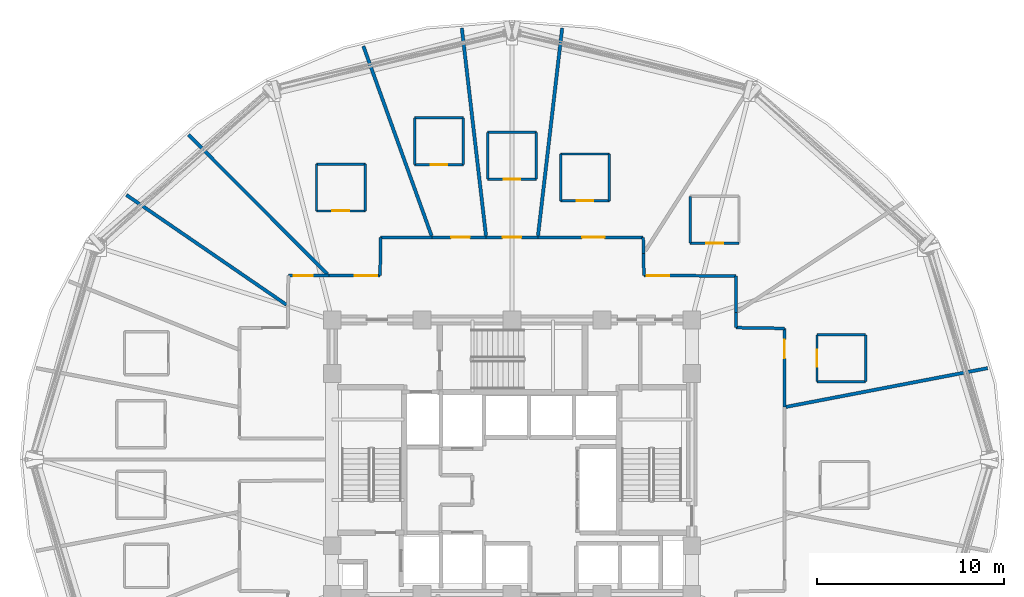
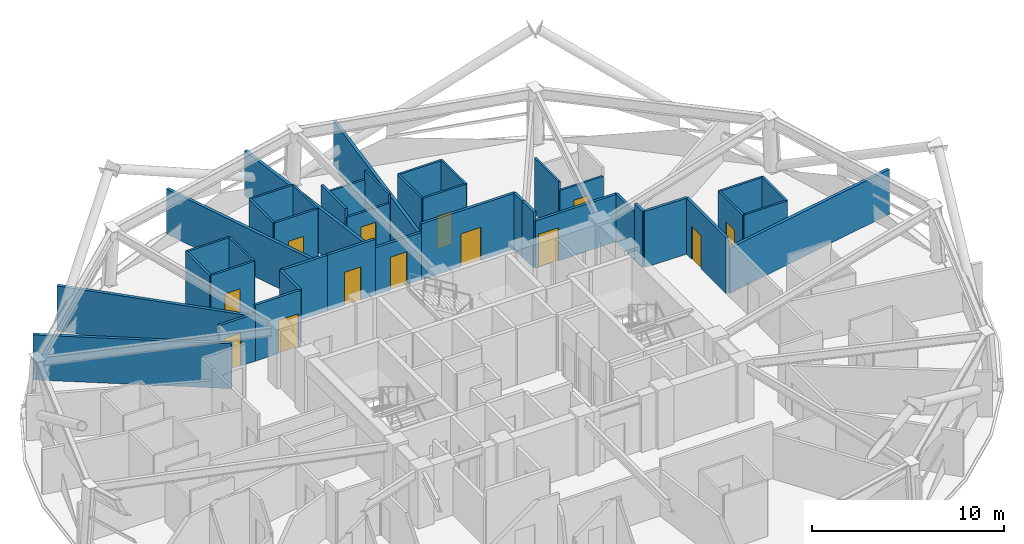
# One storey, part 9 of 14: 42 walls, 13 doors, 13 openings.
"""IFC4 building model written with IfcOpenShell, lengths in metres."""

from ifc_helpers import new_model, si_unit, direction, frame, frame_2d, origin, place, context, subcontext, project, spatial, rectangle, extrude, material, layer, layer_set, type_object, element, fill, save


model = new_model("IFC4")

# Units and contexts
model_context = context("Model", 3, precision=1e-05, world=origin(), true_north=direction((0.0, 1.0)))
body_context = subcontext(model_context, "Body", "Model", "MODEL_VIEW")
ifc_project = project(units=[si_unit("LENGTHUNIT", "METRE"), si_unit("AREAUNIT", "SQUARE_METRE"), si_unit("VOLUMEUNIT", "CUBIC_METRE"), si_unit("PLANEANGLEUNIT", "RADIAN"), si_unit("MASSUNIT", "GRAM", prefix="KILO")], contexts=[model_context])

# Site, building, storey
site_placement = place(None, origin())
site = spatial("IfcSite", under=ifc_project, at=site_placement, CompositionType="ELEMENT")
building_placement = place(site_placement, origin())
building = spatial("IfcBuilding", under=site, at=building_placement, Name="Vantalir Tower", CompositionType="ELEMENT")
storey_placement = place(building_placement, frame((0.0, 0.0, 112.199951171875)))
storey = spatial("IfcBuildingStorey", under=building, at=storey_placement, Name="L27", CompositionType="ELEMENT", Elevation=112.199951171875)

# Walls
ifc_material_1 = material(Name="Moisture-resistant en-suite partition", Category="gypsum")
ifc_layer_1 = layer(ifc_material_1, 0.125)
ifc_layer_set_1 = layer_set([ifc_layer_1], Name="Moisture-resistant en-suite partition")
wall_type_1 = type_object("IfcWallType", Name="WL-BATH-125", PredefinedType="PARTITIONING", material=ifc_layer_set_1)
for number, where, z_axis, x_axis, name in (
    (1, (47.781982421875, 29.160888671875, 0.0), (0.0, 0.0, 1.0), (1.0, 0.0, 0.0), "L27 En-suite 01 South Wall"),
    (2, (47.781982421875, 31.660888671875, 0.0), (0.0, 0.0, 1.0), (1.0, 0.0, 0.0), "L27 En-suite 01 North Wall"),
):
    element("IfcWall", number, at=place(storey_placement, frame(where, z_axis=z_axis, x_axis=x_axis)), inside=storey, type_object=wall_type_1, Name=name, PredefinedType="PARTITIONING", context=body_context, shape_type="SweptSolid", body=[
        extrude(rectangle(XDim=2.60009765625, YDim=0.125, at=frame_2d((1.300048828125, 0.0))), origin(), (0.0, 0.0, 1.0), 3.550048828125),
    ])

# Wall, opening, door
wall_1_placement = place(storey_placement, frame((47.781982421875, 29.160888671875, 0.0), z_axis=(0.0, 0.0, 1.0), x_axis=(0.0, 1.0, 0.0)))
wall_1 = element("IfcWall", 3, at=wall_1_placement, inside=storey, type_object=wall_type_1, Name="L27 En-suite 01 West Wall", PredefinedType="PARTITIONING", context=body_context, shape_type="SweptSolid", body=[
    extrude(rectangle(XDim=2.5, YDim=0.125, at=frame_2d((1.25, 0.0))), origin(), (0.0, 0.0, 1.0), 3.550048828125),
])
opening_1_placement = place(wall_1_placement, frame((0.800048828125, 0.0, 0.0)))
opening_1 = element("IfcOpeningElement", 4, at=opening_1_placement, cuts=wall_1, Name="Opening D-WC", PredefinedType="OPENING", context=body_context, shape_type="SweptSolid", body=[
    extrude(rectangle(XDim=0.89990234375, YDim=2.10009765625, at=frame_2d((0.449951171875, 1.050048828125))), frame((0.0, 0.072509765625, 0.0), z_axis=(0.0, -1.0, 0.0), x_axis=(1.0, 0.0, 0.0)), (0.0, 0.0, 1.0), 0.14501953125),
])
ifc_material_2 = material(Name="Moisture-resistant hardwood door", Category="wood")
door_type_1 = type_object("IfcDoorType", Name="DR-ENSUITE-900", OperationType="NOTDEFINED", PredefinedType="DOOR", material=ifc_material_2)
door_1_placement = place(opening_1_placement, frame((0.89990234375, 0.0, 0.0), z_axis=(0.0, 0.0, 1.0), x_axis=(-1.0, 0.0, 0.0)))
door_1 = element("IfcDoor", 5, at=door_1_placement, inside=storey, type_object=door_type_1, Name="L27 En-suite 01 Door", OperationType="SINGLE_SWING_LEFT", OverallHeight=2.10009765625, OverallWidth=0.89990234375, PredefinedType="DOOR", context=body_context, shape_type="SweptSolid", body=[
    extrude(rectangle(XDim=0.89990234375, YDim=2.10009765625, at=frame_2d((0.449951171875, 1.050048828125))), frame((0.0, 0.02490234375, 0.0), z_axis=(0.0, -1.0, 0.0), x_axis=(1.0, 0.0, 0.0)), (0.0, 0.0, 1.0), 0.050048828125),
])
fill(opening_1, door_1)

# Wall
wall_2_placement = place(storey_placement, frame((50.382080078125, 29.160888671875, 0.0), z_axis=(0.0, 0.0, 1.0), x_axis=(0.0, 1.0, 0.0)))
element("IfcWall", 6, at=wall_2_placement, inside=storey, type_object=wall_type_1, Name="L27 En-suite 01 East Wall", PredefinedType="PARTITIONING", context=body_context, shape_type="SweptSolid", body=[
    extrude(rectangle(XDim=2.5, YDim=0.125, at=frame_2d((1.25, 0.0))), origin(), (0.0, 0.0, 1.0), 3.550048828125),
])

# Wall, opening, door
wall_3_placement = place(storey_placement, frame((41.013916015625, 36.550048828125, 0.0), z_axis=(0.0, 0.0, 1.0), x_axis=(1.0, 0.0, 0.0)))
wall_3 = element("IfcWall", 7, at=wall_3_placement, inside=storey, type_object=wall_type_1, Name="L27 En-suite 02 South Wall", PredefinedType="PARTITIONING", context=body_context, shape_type="SweptSolid", body=[
    extrude(rectangle(XDim=2.60009765625, YDim=0.125, at=frame_2d((1.300048828125, 0.0))), origin(), (0.0, 0.0, 1.0), 3.006103515625),
])
opening_2_placement = place(wall_3_placement, frame((0.85009765625, 0.0, 0.0)))
opening_2 = element("IfcOpeningElement", 8, at=opening_2_placement, cuts=wall_3, Name="Opening D-WC", PredefinedType="OPENING", context=body_context, shape_type="SweptSolid", body=[
    extrude(rectangle(XDim=0.89990234375, YDim=2.10009765625, at=frame_2d((0.449951171875, 1.050048828125))), frame((0.0, 0.072509765625, 0.0), z_axis=(0.0, -1.0, 0.0), x_axis=(1.0, 0.0, 0.0)), (0.0, 0.0, 1.0), 0.14501953125),
])
door_2_placement = place(opening_2_placement, origin())
door_2 = element("IfcDoor", 9, at=door_2_placement, inside=storey, type_object=door_type_1, Name="L27 En-suite 02 Door", OperationType="SINGLE_SWING_RIGHT", OverallHeight=2.10009765625, OverallWidth=0.89990234375, PredefinedType="DOOR", context=body_context, shape_type="SweptSolid", body=[
    extrude(rectangle(XDim=0.89990234375, YDim=2.10009765625, at=frame_2d((0.449951171875, 1.050048828125))), frame((0.0, 0.02490234375, 0.0), z_axis=(0.0, -1.0, 0.0), x_axis=(1.0, 0.0, 0.0)), (0.0, 0.0, 1.0), 0.050048828125),
])
fill(opening_2, door_2)

# Wall
wall_4_placement = place(storey_placement, frame((41.013916015625, 36.550048828125, 0.0), z_axis=(0.0, 0.0, 1.0), x_axis=(0.0, 1.0, 0.0)))
element("IfcWall", 10, at=wall_4_placement, inside=storey, type_object=wall_type_1, Name="L27 En-suite 02 West Wall", PredefinedType="PARTITIONING", context=body_context, shape_type="SweptSolid", body=[
    extrude(rectangle(XDim=2.5, YDim=0.125, at=frame_2d((1.25, 0.0))), origin(), (0.0, 0.0, 1.0), 3.550048828125),
])

# Wall, opening, door
wall_5_placement = place(storey_placement, frame((34.09912109375, 38.81103515625, 0.0), z_axis=(0.0, 0.0, 1.0), x_axis=(1.0, 0.0, 0.0)))
wall_5 = element("IfcWall", 11, at=wall_5_placement, inside=storey, type_object=wall_type_1, Name="L27 En-suite 03 South Wall", PredefinedType="PARTITIONING", context=body_context, shape_type="SweptSolid", body=[
    extrude(rectangle(XDim=2.599853515625, YDim=0.125, at=frame_2d((1.2998046875, 0.0))), origin(), (0.0, 0.0, 1.0), 3.550048828125),
])
opening_3_placement = place(wall_5_placement, frame((0.85009765625, 0.0, 0.0)))
opening_3 = element("IfcOpeningElement", 12, at=opening_3_placement, cuts=wall_5, Name="Opening D-WC", PredefinedType="OPENING", context=body_context, shape_type="SweptSolid", body=[
    extrude(rectangle(XDim=0.89990234375, YDim=2.10009765625, at=frame_2d((0.449951171875, 1.050048828125))), frame((0.0, 0.072509765625, 0.0), z_axis=(0.0, -1.0, 0.0), x_axis=(1.0, 0.0, 0.0)), (0.0, 0.0, 1.0), 0.14501953125),
])
door_3_placement = place(opening_3_placement, origin())
door_3 = element("IfcDoor", 13, at=door_3_placement, inside=storey, type_object=door_type_1, Name="L27 En-suite 03 Door", OperationType="SINGLE_SWING_LEFT", OverallHeight=2.10009765625, OverallWidth=0.89990234375, PredefinedType="DOOR", context=body_context, shape_type="SweptSolid", body=[
    extrude(rectangle(XDim=0.89990234375, YDim=2.10009765625, at=frame_2d((0.449951171875, 1.050048828125))), frame((0.0, 0.02490234375, 0.0), z_axis=(0.0, -1.0, 0.0), x_axis=(1.0, 0.0, 0.0)), (0.0, 0.0, 1.0), 0.050048828125),
])
fill(opening_3, door_3)

# Walls
wall_6_placement = place(storey_placement, frame((34.09912109375, 41.31103515625, 0.0), z_axis=(0.0, 0.0, 1.0), x_axis=(1.0, 0.0, 0.0)))
element("IfcWall", 14, at=wall_6_placement, inside=storey, type_object=wall_type_1, Name="L27 En-suite 03 North Wall", PredefinedType="PARTITIONING", context=body_context, shape_type="SweptSolid", body=[
    extrude(rectangle(XDim=2.599853515625, YDim=0.125, at=frame_2d((1.2998046875, 0.0))), origin(), (0.0, 0.0, 1.0), 3.550048828125),
])
for number, where, z_axis, x_axis, name in (
    (15, (34.09912109375, 38.81103515625, 0.0), (0.0, 0.0, 1.0), (0.0, 1.0, 0.0), "L27 En-suite 03 West Wall"),
    (16, (36.698974609375, 38.81103515625, 0.0), (0.0, 0.0, 1.0), (0.0, 1.0, 0.0), "L27 En-suite 03 East Wall"),
):
    element("IfcWall", number, at=place(storey_placement, frame(where, z_axis=z_axis, x_axis=x_axis)), inside=storey, type_object=wall_type_1, Name=name, PredefinedType="PARTITIONING", context=body_context, shape_type="SweptSolid", body=[
        extrude(rectangle(XDim=2.5, YDim=0.125, at=frame_2d((1.25, 0.0))), origin(), (0.0, 0.0, 1.0), 3.550048828125),
    ])

# Wall, opening, door
wall_7_placement = place(storey_placement, frame((30.199951171875, 39.970947265625, 0.0), z_axis=(0.0, 0.0, 1.0), x_axis=(1.0, 0.0, 0.0)))
wall_7 = element("IfcWall", 17, at=wall_7_placement, inside=storey, type_object=wall_type_1, Name="L27 En-suite 04 South Wall", PredefinedType="PARTITIONING", context=body_context, shape_type="SweptSolid", body=[
    extrude(rectangle(XDim=2.60009765625, YDim=0.125, at=frame_2d((1.300048828125, 0.0))), origin(), (0.0, 0.0, 1.0), 3.006103515625),
])
opening_4_placement = place(wall_7_placement, frame((0.85009765625, 0.0, 0.0)))
opening_4 = element("IfcOpeningElement", 18, at=opening_4_placement, cuts=wall_7, Name="Opening D-WC", PredefinedType="OPENING", context=body_context, shape_type="SweptSolid", body=[
    extrude(rectangle(XDim=0.89990234375, YDim=2.10009765625, at=frame_2d((0.449951171875, 1.050048828125))), frame((0.0, 0.072509765625, 0.0), z_axis=(0.0, -1.0, 0.0), x_axis=(1.0, 0.0, 0.0)), (0.0, 0.0, 1.0), 0.14501953125),
])
door_4_placement = place(opening_4_placement, origin())
door_4 = element("IfcDoor", 19, at=door_4_placement, inside=storey, type_object=door_type_1, Name="L27 En-suite 04 Door", OperationType="SINGLE_SWING_RIGHT", OverallHeight=2.10009765625, OverallWidth=0.89990234375, PredefinedType="DOOR", context=body_context, shape_type="SweptSolid", body=[
    extrude(rectangle(XDim=0.89990234375, YDim=2.10009765625, at=frame_2d((0.449951171875, 1.050048828125))), frame((0.0, 0.02490234375, 0.0), z_axis=(0.0, -1.0, 0.0), x_axis=(1.0, 0.0, 0.0)), (0.0, 0.0, 1.0), 0.050048828125),
])
fill(opening_4, door_4)

# Walls
wall_8_placement = place(storey_placement, frame((30.199951171875, 42.470947265625, 0.0), z_axis=(0.0, 0.0, 1.0), x_axis=(1.0, 0.0, 0.0)))
element("IfcWall", 20, at=wall_8_placement, inside=storey, type_object=wall_type_1, Name="L27 En-suite 04 North Wall", PredefinedType="PARTITIONING", context=body_context, shape_type="SweptSolid", body=[
    extrude(rectangle(XDim=2.60009765625, YDim=0.125, at=frame_2d((1.300048828125, 0.0))), origin(), (0.0, 0.0, 1.0), 3.006103515625),
])
for number, where, z_axis, x_axis, name in (
    (21, (30.199951171875, 39.970947265625, 0.0), (0.0, 0.0, 1.0), (0.0, 1.0, 0.0), "L27 En-suite 04 West Wall"),
    (22, (32.800048828125, 39.970947265625, 0.0), (0.0, 0.0, 1.0), (0.0, 1.0, 0.0), "L27 En-suite 04 East Wall"),
):
    element("IfcWall", number, at=place(storey_placement, frame(where, z_axis=z_axis, x_axis=x_axis)), inside=storey, type_object=wall_type_1, Name=name, PredefinedType="PARTITIONING", context=body_context, shape_type="SweptSolid", body=[
        extrude(rectangle(XDim=2.5, YDim=0.125, at=frame_2d((1.25, 0.0))), origin(), (0.0, 0.0, 1.0), 3.550048828125),
    ])

# Wall, opening, door
wall_9_placement = place(storey_placement, frame((26.305908203125, 40.737060546875, 0.0), z_axis=(0.0, 0.0, 1.0), x_axis=(1.0, 0.0, 0.0)))
wall_9 = element("IfcWall", 23, at=wall_9_placement, inside=storey, type_object=wall_type_1, Name="L27 En-suite 05 South Wall", PredefinedType="PARTITIONING", context=body_context, shape_type="SweptSolid", body=[
    extrude(rectangle(XDim=2.60009765625, YDim=0.125, at=frame_2d((1.300048828125, 0.0))), origin(), (0.0, 0.0, 1.0), 3.550048828125),
])
opening_5_placement = place(wall_9_placement, frame((0.85009765625, 0.0, 0.0)))
opening_5 = element("IfcOpeningElement", 24, at=opening_5_placement, cuts=wall_9, Name="Opening D-WC", PredefinedType="OPENING", context=body_context, shape_type="SweptSolid", body=[
    extrude(rectangle(XDim=0.89990234375, YDim=2.10009765625, at=frame_2d((0.449951171875, 1.050048828125))), frame((0.0, 0.072509765625, 0.0), z_axis=(0.0, -1.0, 0.0), x_axis=(1.0, 0.0, 0.0)), (0.0, 0.0, 1.0), 0.14501953125),
])
door_5_placement = place(opening_5_placement, origin())
door_5 = element("IfcDoor", 25, at=door_5_placement, inside=storey, type_object=door_type_1, Name="L27 En-suite 05 Door", OperationType="SINGLE_SWING_LEFT", OverallHeight=2.10009765625, OverallWidth=0.89990234375, PredefinedType="DOOR", context=body_context, shape_type="SweptSolid", body=[
    extrude(rectangle(XDim=0.89990234375, YDim=2.10009765625, at=frame_2d((0.449951171875, 1.050048828125))), frame((0.0, 0.02490234375, 0.0), z_axis=(0.0, -1.0, 0.0), x_axis=(1.0, 0.0, 0.0)), (0.0, 0.0, 1.0), 0.050048828125),
])
fill(opening_5, door_5)

# Walls
wall_10_placement = place(storey_placement, frame((26.305908203125, 43.237060546875, 0.0), z_axis=(0.0, 0.0, 1.0), x_axis=(1.0, 0.0, 0.0)))
element("IfcWall", 26, at=wall_10_placement, inside=storey, type_object=wall_type_1, Name="L27 En-suite 05 North Wall", PredefinedType="PARTITIONING", context=body_context, shape_type="SweptSolid", body=[
    extrude(rectangle(XDim=2.60009765625, YDim=0.125, at=frame_2d((1.300048828125, 0.0))), origin(), (0.0, 0.0, 1.0), 3.550048828125),
])
for number, where, z_axis, x_axis, name in (
    (27, (26.305908203125, 40.737060546875, 0.0), (0.0, 0.0, 1.0), (0.0, 1.0, 0.0), "L27 En-suite 05 West Wall"),
    (28, (28.906005859375, 40.737060546875, 0.0), (0.0, 0.0, 1.0), (0.0, 1.0, 0.0), "L27 En-suite 05 East Wall"),
):
    element("IfcWall", number, at=place(storey_placement, frame(where, z_axis=z_axis, x_axis=x_axis)), inside=storey, type_object=wall_type_1, Name=name, PredefinedType="PARTITIONING", context=body_context, shape_type="SweptSolid", body=[
        extrude(rectangle(XDim=2.5, YDim=0.125, at=frame_2d((1.25, 0.0))), origin(), (0.0, 0.0, 1.0), 3.550048828125),
    ])

# Wall, opening, door
wall_11_placement = place(storey_placement, frame((21.06689453125, 38.27001953125, 0.0), z_axis=(0.0, 0.0, 1.0), x_axis=(1.0, 0.0, 0.0)))
wall_11 = element("IfcWall", 29, at=wall_11_placement, inside=storey, type_object=wall_type_1, Name="L27 En-suite 06 South Wall", PredefinedType="PARTITIONING", context=body_context, shape_type="SweptSolid", body=[
    extrude(rectangle(XDim=2.60009765625, YDim=0.125, at=frame_2d((1.300048828125, 0.0))), origin(), (0.0, 0.0, 1.0), 3.550048828125),
])
opening_6_placement = place(wall_11_placement, frame((0.85009765625, 0.0, 0.0)))
opening_6 = element("IfcOpeningElement", 30, at=opening_6_placement, cuts=wall_11, Name="Opening D-WC", PredefinedType="OPENING", context=body_context, shape_type="SweptSolid", body=[
    extrude(rectangle(XDim=0.89990234375, YDim=2.10009765625, at=frame_2d((0.449951171875, 1.050048828125))), frame((0.0, 0.072509765625, 0.0), z_axis=(0.0, -1.0, 0.0), x_axis=(1.0, 0.0, 0.0)), (0.0, 0.0, 1.0), 0.14501953125),
])
door_6_placement = place(opening_6_placement, origin())
door_6 = element("IfcDoor", 31, at=door_6_placement, inside=storey, type_object=door_type_1, Name="L27 En-suite 06 Door", OperationType="SINGLE_SWING_RIGHT", OverallHeight=2.10009765625, OverallWidth=0.89990234375, PredefinedType="DOOR", context=body_context, shape_type="SweptSolid", body=[
    extrude(rectangle(XDim=0.89990234375, YDim=2.10009765625, at=frame_2d((0.449951171875, 1.050048828125))), frame((0.0, 0.02490234375, 0.0), z_axis=(0.0, -1.0, 0.0), x_axis=(1.0, 0.0, 0.0)), (0.0, 0.0, 1.0), 0.050048828125),
])
fill(opening_6, door_6)

# Walls
wall_12_placement = place(storey_placement, frame((21.06689453125, 40.77001953125, 0.0), z_axis=(0.0, 0.0, 1.0), x_axis=(1.0, 0.0, 0.0)))
element("IfcWall", 32, at=wall_12_placement, inside=storey, type_object=wall_type_1, Name="L27 En-suite 06 North Wall", PredefinedType="PARTITIONING", context=body_context, shape_type="SweptSolid", body=[
    extrude(rectangle(XDim=2.60009765625, YDim=0.125, at=frame_2d((1.300048828125, 0.0))), origin(), (0.0, 0.0, 1.0), 3.550048828125),
])
for number, where, z_axis, x_axis, name in (
    (33, (21.06689453125, 38.27001953125, 0.0), (0.0, 0.0, 1.0), (0.0, 1.0, 0.0), "L27 En-suite 06 West Wall"),
    (34, (23.6669921875, 38.27001953125, 0.0), (0.0, 0.0, 1.0), (0.0, 1.0, 0.0), "L27 En-suite 06 East Wall"),
):
    element("IfcWall", number, at=place(storey_placement, frame(where, z_axis=z_axis, x_axis=x_axis)), inside=storey, type_object=wall_type_1, Name=name, PredefinedType="PARTITIONING", context=body_context, shape_type="SweptSolid", body=[
        extrude(rectangle(XDim=2.5, YDim=0.125, at=frame_2d((1.25, 0.0))), origin(), (0.0, 0.0, 1.0), 3.550048828125),
    ])

# Wall, opening, door
ifc_material_3 = material(Name="Fire-rated hotel corridor acoustic partition", Category="gypsum")
ifc_layer_2 = layer(ifc_material_3, 0.159912109375)
ifc_layer_set_2 = layer_set([ifc_layer_2], Name="Fire-rated hotel corridor acoustic partition")
wall_type_2 = type_object("IfcWallType", Name="WL-CORR-160", PredefinedType="PARTITIONING", material=ifc_layer_set_2)
wall_13_placement = place(storey_placement, frame((19.56005859375, 34.81201171875, 0.0), z_axis=(0.0, 0.0, 1.0), x_axis=(0.999999898272, 0.000451059945, 0.0)))
wall_13 = element("IfcWall", 35, at=wall_13_placement, inside=storey, type_object=wall_type_2, Name="L27 Corridor Partition 08", PredefinedType="PARTITIONING", context=body_context, shape_type="SweptSolid", body=[
    extrude(rectangle(XDim=2.1650390625, YDim=0.159912109375, at=frame_2d((1.08251953125, 0.0))), origin(), (0.0, 0.0, 1.0), 3.006103515625),
])
opening_7_placement = place(wall_13_placement, frame((0.301025390625, 0.0, 0.0)))
opening_7 = element("IfcOpeningElement", 36, at=opening_7_placement, cuts=wall_13, Name="Opening D-GUEST", PredefinedType="OPENING", context=body_context, shape_type="SweptSolid", body=[
    extrude(rectangle(XDim=1.0, YDim=2.10009765625, at=frame_2d((0.5, 1.050048828125))), frame((0.0, 0.08984375, 0.0), z_axis=(0.0, -1.0, 0.0), x_axis=(1.0, 0.0, 0.0)), (0.0, 0.0, 1.0), 0.179931640625),
])
ifc_material_4 = material(Name="Solid-core teak veneer acoustic fire door", Category="wood")
door_type_2 = type_object("IfcDoorType", Name="DR-GUEST-ENTRY-1000", OperationType="NOTDEFINED", PredefinedType="DOOR", material=ifc_material_4)
door_7_placement = place(opening_7_placement, origin())
door_7 = element("IfcDoor", 37, at=door_7_placement, inside=storey, type_object=door_type_2, Name="L27 Executive Business Study 07 Door", OperationType="SINGLE_SWING_LEFT", OverallHeight=2.10009765625, OverallWidth=1.0, PredefinedType="DOOR", context=body_context, shape_type="SweptSolid", body=[
    extrude(rectangle(XDim=1.0, YDim=2.10009765625, at=frame_2d((0.5, 1.050048828125))), frame((0.0, 0.02490234375, 0.0), z_axis=(0.0, -1.0, 0.0), x_axis=(1.0, 0.0, 0.0)), (0.0, 0.0, 1.0), 0.050048828125),
])
fill(opening_7, door_7)

wall_14_placement = place(storey_placement, frame((21.72509765625, 34.81298828125, 0.0), z_axis=(0.0, 0.0, 1.0), x_axis=(0.999999744989, 0.000714158004, 0.0)))
wall_14 = element("IfcWall", 38, at=wall_14_placement, inside=storey, type_object=wall_type_2, Name="L27 Corridor Partition 09", PredefinedType="PARTITIONING", context=body_context, shape_type="SweptSolid", body=[
    extrude(rectangle(XDim=2.73486328125, YDim=0.159912109375, at=frame_2d((1.367431640625, 0.0))), origin(), (0.0, 0.0, 1.0), 3.550048828125),
])
opening_8_placement = place(wall_14_placement, frame((1.375, 0.0, 0.0)))
opening_8 = element("IfcOpeningElement", 39, at=opening_8_placement, cuts=wall_14, Name="Opening D-STE", PredefinedType="OPENING", context=body_context, shape_type="SweptSolid", body=[
    extrude(rectangle(XDim=1.199951171875, YDim=2.10009765625, at=frame_2d((0.60009765625, 1.050048828125))), frame((0.0, 0.08984375, 0.0), z_axis=(0.0, -1.0, 0.0), x_axis=(1.0, 0.0, 0.0)), (0.0, 0.0, 1.0), 0.179931640625),
])
ifc_material_5 = material(Name="Solid-core teak veneer suite entrance door", Category="wood")
door_type_3 = type_object("IfcDoorType", Name="DR-SUITE-ENTRY-1200", OperationType="NOTDEFINED", PredefinedType="DOOR", material=ifc_material_5)
door_8_placement = place(opening_8_placement, origin())
door_8 = element("IfcDoor", 40, at=door_8_placement, inside=storey, type_object=door_type_3, Name="L27 Corner Panorama Hotel Suite 06 Door", OperationType="SINGLE_SWING_RIGHT", OverallHeight=2.10009765625, OverallWidth=1.199951171875, PredefinedType="DOOR", context=body_context, shape_type="SweptSolid", body=[
    extrude(rectangle(XDim=1.199951171875, YDim=2.10009765625, at=frame_2d((0.60009765625, 1.050048828125))), frame((0.0, 0.02490234375, 0.0), z_axis=(0.0, -1.0, 0.0), x_axis=(1.0, 0.0, 0.0)), (0.0, 0.0, 1.0), 0.050048828125),
])
fill(opening_8, door_8)

# Walls
wall_15_placement = place(storey_placement, frame((24.4599609375, 34.81494140625, 0.0), z_axis=(0.0, 0.0, 1.0), x_axis=(0.012282913525, 0.999924562172, 0.0)))
element("IfcWall", 41, at=wall_15_placement, inside=storey, type_object=wall_type_2, Name="L27 Corridor Partition 10", PredefinedType="PARTITIONING", context=body_context, shape_type="SweptSolid", body=[
    extrude(rectangle(XDim=2.04736328125, YDim=0.159912109375, at=frame_2d((1.023681640625, 0.0))), origin(), (0.0, 0.0, 1.0), 3.550048828125),
])
wall_16_placement = place(storey_placement, frame((24.485107421875, 36.862060546875, 0.0), z_axis=(0.0, 0.0, 1.0), x_axis=(0.999999936992, 0.000354987553, 0.0)))
element("IfcWall", 42, at=wall_16_placement, inside=storey, type_object=wall_type_2, Name="L27 Corridor Partition 11", PredefinedType="PARTITIONING", context=body_context, shape_type="SweptSolid", body=[
    extrude(rectangle(XDim=2.7509765625, YDim=0.159912109375, at=frame_2d((1.37548828125, 0.0))), origin(), (0.0, 0.0, 1.0), 3.550048828125),
])

# Wall, opening, door
wall_17_placement = place(storey_placement, frame((27.236083984375, 36.863037109375, 0.0), z_axis=(0.0, 0.0, 1.0), x_axis=(1.0, 0.0, 0.0)))
wall_17 = element("IfcWall", 43, at=wall_17_placement, inside=storey, type_object=wall_type_2, Name="L27 Corridor Partition 12", PredefinedType="PARTITIONING", context=body_context, shape_type="SweptSolid", body=[
    extrude(rectangle(XDim=2.884033203125, YDim=0.159912109375, at=frame_2d((1.44189453125, 0.0))), origin(), (0.0, 0.0, 1.0), 3.550048828125),
])
opening_9_placement = place(wall_17_placement, frame((1.012939453125, 0.0, 0.0)))
opening_9 = element("IfcOpeningElement", 44, at=opening_9_placement, cuts=wall_17, Name="Opening D-GUEST", PredefinedType="OPENING", context=body_context, shape_type="SweptSolid", body=[
    extrude(rectangle(XDim=1.0, YDim=2.10009765625, at=frame_2d((0.5, 1.050048828125))), frame((0.0, 0.08984375, 0.0), z_axis=(0.0, -1.0, 0.0), x_axis=(1.0, 0.0, 0.0)), (0.0, 0.0, 1.0), 0.179931640625),
])
door_9_placement = place(opening_9_placement, origin())
door_9 = element("IfcDoor", 45, at=door_9_placement, inside=storey, type_object=door_type_2, Name="L27 Twin Queen Hotel Room 05 Door", OperationType="SINGLE_SWING_LEFT", OverallHeight=2.10009765625, OverallWidth=1.0, PredefinedType="DOOR", context=body_context, shape_type="SweptSolid", body=[
    extrude(rectangle(XDim=1.0, YDim=2.10009765625, at=frame_2d((0.5, 1.050048828125))), frame((0.0, 0.02490234375, 0.0), z_axis=(0.0, -1.0, 0.0), x_axis=(1.0, 0.0, 0.0)), (0.0, 0.0, 1.0), 0.050048828125),
])
fill(opening_9, door_9)

wall_18_placement = place(storey_placement, frame((30.1201171875, 36.863037109375, 0.0), z_axis=(0.0, 0.0, 1.0), x_axis=(0.999999937393, 0.00035385702, 0.0)))
wall_18 = element("IfcWall", 46, at=wall_18_placement, inside=storey, type_object=wall_type_2, Name="L27 Corridor Partition 13", PredefinedType="PARTITIONING", context=body_context, shape_type="SweptSolid", body=[
    extrude(rectangle(XDim=2.759765625, YDim=0.159912109375, at=frame_2d((1.3798828125, 0.0))), origin(), (0.0, 0.0, 1.0), 3.006103515625),
])
opening_10_placement = place(wall_18_placement, frame((0.8798828125, 0.0, 0.0)))
opening_10 = element("IfcOpeningElement", 47, at=opening_10_placement, cuts=wall_18, Name="Opening D-GUEST", PredefinedType="OPENING", context=body_context, shape_type="SweptSolid", body=[
    extrude(rectangle(XDim=1.0, YDim=2.10009765625, at=frame_2d((0.5, 1.050048828125))), frame((0.0, 0.08984375, 0.0), z_axis=(0.0, -1.0, 0.0), x_axis=(1.0, 0.0, 0.0)), (0.0, 0.0, 1.0), 0.179931640625),
])
door_10_placement = place(opening_10_placement, origin())
door_10 = element("IfcDoor", 48, at=door_10_placement, inside=storey, type_object=door_type_2, Name="L27 Deluxe King Hotel Room 04 Door", OperationType="SINGLE_SWING_RIGHT", OverallHeight=2.10009765625, OverallWidth=1.0, PredefinedType="DOOR", context=body_context, shape_type="SweptSolid", body=[
    extrude(rectangle(XDim=1.0, YDim=2.10009765625, at=frame_2d((0.5, 1.050048828125))), frame((0.0, 0.02490234375, 0.0), z_axis=(0.0, -1.0, 0.0), x_axis=(1.0, 0.0, 0.0)), (0.0, 0.0, 1.0), 0.050048828125),
])
fill(opening_10, door_10)

wall_19_placement = place(storey_placement, frame((32.8798828125, 36.864013671875, 0.0), z_axis=(0.0, 0.0, 1.0), x_axis=(0.999999984924, 0.000173641255, 0.0)))
wall_19 = element("IfcWall", 49, at=wall_19_placement, inside=storey, type_object=wall_type_2, Name="L27 Corridor Partition 14", PredefinedType="PARTITIONING", context=body_context, shape_type="SweptSolid", body=[
    extrude(rectangle(XDim=5.6240234375, YDim=0.159912109375, at=frame_2d((2.81201171875, 0.0))), origin(), (0.0, 0.0, 1.0), 3.550048828125),
])
opening_11_placement = place(wall_19_placement, frame((2.35888671875, 0.0, 0.0)))
opening_11 = element("IfcOpeningElement", 50, at=opening_11_placement, cuts=wall_19, Name="Opening D-STE", PredefinedType="OPENING", context=body_context, shape_type="SweptSolid", body=[
    extrude(rectangle(XDim=1.199951171875, YDim=2.10009765625, at=frame_2d((0.60009765625, 1.050048828125))), frame((0.0, 0.08984375, 0.0), z_axis=(0.0, -1.0, 0.0), x_axis=(1.0, 0.0, 0.0)), (0.0, 0.0, 1.0), 0.179931640625),
])
door_11_placement = place(opening_11_placement, origin())
door_11 = element("IfcDoor", 51, at=door_11_placement, inside=storey, type_object=door_type_3, Name="L27 Corner Panorama Hotel Suite 03 Door", OperationType="SINGLE_SWING_LEFT", OverallHeight=2.10009765625, OverallWidth=1.199951171875, PredefinedType="DOOR", context=body_context, shape_type="SweptSolid", body=[
    extrude(rectangle(XDim=1.199951171875, YDim=2.10009765625, at=frame_2d((0.60009765625, 1.050048828125))), frame((0.0, 0.02490234375, 0.0), z_axis=(0.0, -1.0, 0.0), x_axis=(1.0, 0.0, 0.0)), (0.0, 0.0, 1.0), 0.050048828125),
])
fill(opening_11, door_11)

# Walls
wall_20_placement = place(storey_placement, frame((38.50390625, 36.864990234375, 0.0), z_axis=(0.0, 0.0, 1.0), x_axis=(0.017277242395, -0.999850737308, 0.0)))
element("IfcWall", 52, at=wall_20_placement, inside=storey, type_object=wall_type_2, Name="L27 Corridor Partition 15", PredefinedType="PARTITIONING", context=body_context, shape_type="SweptSolid", body=[
    extrude(rectangle(XDim=0.876220703125, YDim=0.159912109375, at=frame_2d((0.43798828125, 0.0))), origin(), (0.0, 0.0, 1.0), 3.550048828125),
])
wall_21_placement = place(storey_placement, frame((38.51904296875, 35.989013671875, 0.0), z_axis=(0.0, 0.0, 1.0), x_axis=(0.017880276901, -0.999840135071, 0.0)))
element("IfcWall", 53, at=wall_21_placement, inside=storey, type_object=wall_type_2, Name="L27 Corridor Partition 16", PredefinedType="PARTITIONING", context=body_context, shape_type="SweptSolid", body=[
    extrude(rectangle(XDim=1.17431640625, YDim=0.159912109375, at=frame_2d((0.587158203125, 0.0))), origin(), (0.0, 0.0, 1.0), 3.550048828125),
])

# Wall, opening, door
wall_22_placement = place(storey_placement, frame((38.5400390625, 34.81494140625, 0.0), z_axis=(0.0, 0.0, 1.0), x_axis=(0.999999029632, -0.001393102783, 0.0)))
wall_22 = element("IfcWall", 54, at=wall_22_placement, inside=storey, type_object=wall_type_2, Name="L27 Corridor Partition 17", PredefinedType="PARTITIONING", context=body_context, shape_type="SweptSolid", body=[
    extrude(rectangle(XDim=4.906982421875, YDim=0.159912109375, at=frame_2d((2.45361328125, 0.0))), origin(), (0.0, 0.0, 1.0), 3.006103515625),
])
opening_12_placement = place(wall_22_placement, frame((0.159912109375, 0.0, 0.0)))
opening_12 = element("IfcOpeningElement", 55, at=opening_12_placement, cuts=wall_22, Name="Opening D-STE", PredefinedType="OPENING", context=body_context, shape_type="SweptSolid", body=[
    extrude(rectangle(XDim=1.199951171875, YDim=2.10009765625, at=frame_2d((0.60009765625, 1.050048828125))), frame((0.0, 0.08984375, 0.0), z_axis=(0.0, -1.0, 0.0), x_axis=(1.0, 0.0, 0.0)), (0.0, 0.0, 1.0), 0.179931640625),
])
door_12_placement = place(opening_12_placement, origin())
door_12 = element("IfcDoor", 56, at=door_12_placement, inside=storey, type_object=door_type_3, Name="L27 Corner Panorama Hotel Suite 02 Door", OperationType="SINGLE_SWING_RIGHT", OverallHeight=2.10009765625, OverallWidth=1.199951171875, PredefinedType="DOOR", context=body_context, shape_type="SweptSolid", body=[
    extrude(rectangle(XDim=1.199951171875, YDim=2.10009765625, at=frame_2d((0.60009765625, 1.050048828125))), frame((0.0, 0.02490234375, 0.0), z_axis=(0.0, -1.0, 0.0), x_axis=(1.0, 0.0, 0.0)), (0.0, 0.0, 1.0), 0.050048828125),
])
fill(opening_12, door_12)

# Walls
wall_23_placement = place(storey_placement, frame((43.447021484375, 34.80810546875, 0.0), z_axis=(0.0, 0.0, 1.0), x_axis=(0.00662154399, -0.999978077337, 0.0)))
element("IfcWall", 57, at=wall_23_placement, inside=storey, type_object=wall_type_2, Name="L27 Corridor Partition 18", PredefinedType="PARTITIONING", context=body_context, shape_type="SweptSolid", body=[
    extrude(rectangle(XDim=1.9541015625, YDim=0.159912109375, at=frame_2d((0.97705078125, 0.0))), origin(), (0.0, 0.0, 1.0), 3.006103515625),
])
wall_24_placement = place(storey_placement, frame((43.4599609375, 32.85400390625, 0.0), z_axis=(0.0, 0.0, 1.0), x_axis=(0.006298615307, -0.999980163526, 0.0)))
element("IfcWall", 58, at=wall_24_placement, inside=storey, type_object=wall_type_2, Name="L27 Corridor Partition 19", PredefinedType="PARTITIONING", context=body_context, shape_type="SweptSolid", body=[
    extrude(rectangle(XDim=0.81396484375, YDim=0.159912109375, at=frame_2d((0.406982421875, 0.0))), origin(), (0.0, 0.0, 1.0), 3.550048828125),
])
wall_25_placement = place(storey_placement, frame((43.465087890625, 32.0400390625, 0.0), z_axis=(0.0, 0.0, 1.0), x_axis=(0.999879586318, -0.015518146319, 0.0)))
element("IfcWall", 59, at=wall_25_placement, inside=storey, type_object=wall_type_2, Name="L27 Corridor Partition 20", PredefinedType="PARTITIONING", context=body_context, shape_type="SweptSolid", body=[
    extrude(rectangle(XDim=2.580078125, YDim=0.159912109375, at=frame_2d((1.2900390625, 0.0))), origin(), (0.0, 0.0, 1.0), 3.550048828125),
])

# Wall, opening, door
wall_26_placement = place(storey_placement, frame((46.044921875, 32.0, 0.0), z_axis=(0.0, 0.0, 1.0), x_axis=(0.0, -1.0, 0.0)))
wall_26 = element("IfcWall", 60, at=wall_26_placement, inside=storey, type_object=wall_type_2, Name="L27 Corridor Partition 21", PredefinedType="PARTITIONING", context=body_context, shape_type="SweptSolid", body=[
    extrude(rectangle(XDim=4.205078125, YDim=0.159912109375, at=frame_2d((2.1025390625, 0.0))), origin(), (0.0, 0.0, 1.0), 3.550048828125),
])
opening_13_placement = place(wall_26_placement, frame((0.593017578125, 0.0, 0.0)))
opening_13 = element("IfcOpeningElement", 61, at=opening_13_placement, cuts=wall_26, Name="Opening D-GUEST", PredefinedType="OPENING", context=body_context, shape_type="SweptSolid", body=[
    extrude(rectangle(XDim=1.0, YDim=2.10009765625, at=frame_2d((0.5, 1.050048828125))), frame((0.0, 0.08984375, 0.0), z_axis=(0.0, -1.0, 0.0), x_axis=(1.0, 0.0, 0.0)), (0.0, 0.0, 1.0), 0.179931640625),
])
door_13_placement = place(opening_13_placement, origin())
door_13 = element("IfcDoor", 62, at=door_13_placement, inside=storey, type_object=door_type_2, Name="L27 Twin Queen Hotel Room 01 Door", OperationType="SINGLE_SWING_LEFT", OverallHeight=2.10009765625, OverallWidth=1.0, PredefinedType="DOOR", context=body_context, shape_type="SweptSolid", body=[
    extrude(rectangle(XDim=1.0, YDim=2.10009765625, at=frame_2d((0.5, 1.050048828125))), frame((0.0, 0.02490234375, 0.0), z_axis=(0.0, -1.0, 0.0), x_axis=(1.0, 0.0, 0.0)), (0.0, 0.0, 1.0), 0.050048828125),
])
fill(opening_13, door_13)

# Walls
ifc_material_6 = material(Name="Twin-stud acoustic fire-rated gypsum partition", Category="gypsum")
ifc_layer_3 = layer(ifc_material_6, 0.179931640625)
ifc_layer_set_3 = layer_set([ifc_layer_3], Name="Twin-stud acoustic fire-rated gypsum partition")
wall_type_3 = type_object("IfcWallType", Name="WL-GUEST-180", PredefinedType="PARTITIONING", material=ifc_layer_set_3)
wall_27_placement = place(storey_placement, frame((46.1201171875, 27.80908203125, 0.0), z_axis=(0.0, 0.0, 1.0), x_axis=(0.982041525157, 0.188664895694, 0.0)))
element("IfcWall", 63, at=wall_27_placement, inside=storey, type_object=wall_type_3, Name="L27 Radial Suite Partition 01", PredefinedType="PARTITIONING", context=body_context, shape_type="SweptSolid", body=[
    extrude(rectangle(XDim=10.9658203125, YDim=0.179931640625, at=frame_2d((5.48291015625, 0.0))), origin(), (0.0, 0.0, 1.0), 2.85107421875),
])
for number, where, z_axis, x_axis, name in (
    (64, (32.887939453125, 36.93994140625, 0.0), (0.0, 0.0, 1.0), (0.115564590967, 0.993299967439, 0.0), "L27 Radial Suite Partition 04"),
    (65, (30.112060546875, 36.93994140625, 0.0), (0.0, 0.0, 1.0), (-0.115564590967, 0.993299967439, 0.0), "L27 Radial Suite Partition 05"),
):
    element("IfcWall", number, at=place(storey_placement, frame(where, z_axis=z_axis, x_axis=x_axis)), inside=storey, type_object=wall_type_3, Name=name, PredefinedType="PARTITIONING", context=body_context, shape_type="SweptSolid", body=[
        extrude(rectangle(XDim=11.162841796875, YDim=0.179931640625, at=frame_2d((5.58154296875, 0.0))), origin(), (0.0, 0.0, 1.0), 2.85107421875),
    ])
wall_28_placement = place(storey_placement, frame((27.2080078125, 36.93994140625, 0.0), z_axis=(0.0, 0.0, 1.0), x_axis=(-0.338276878016, 0.941046626794, 0.0)))
element("IfcWall", 66, at=wall_28_placement, inside=storey, type_object=wall_type_3, Name="L27 Radial Suite Partition 06", PredefinedType="PARTITIONING", context=body_context, shape_type="SweptSolid", body=[
    extrude(rectangle(XDim=10.763671875, YDim=0.179931640625, at=frame_2d((5.3818359375, 0.0))), origin(), (0.0, 0.0, 1.0), 2.85107421875),
])
wall_29_placement = place(storey_placement, frame((21.64794921875, 34.889892578125, 0.0), z_axis=(0.0, 0.0, 1.0), x_axis=(-0.705710674601, 0.708500136736, 0.0)))
element("IfcWall", 67, at=wall_29_placement, inside=storey, type_object=wall_type_3, Name="L27 Radial Suite Partition 07", PredefinedType="PARTITIONING", context=body_context, shape_type="SweptSolid", body=[
    extrude(rectangle(XDim=10.502685546875, YDim=0.179931640625, at=frame_2d((5.25146484375, 0.0))), origin(), (0.0, 0.0, 1.0), 2.85107421875),
])
wall_30_placement = place(storey_placement, frame((19.4599609375, 33.260986328125, 0.0), z_axis=(0.0, 0.0, 1.0), x_axis=(-0.824577795006, 0.565748583721, 0.0)))
element("IfcWall", 68, at=wall_30_placement, inside=storey, type_object=wall_type_3, Name="L27 Radial Suite Partition 08", PredefinedType="PARTITIONING", context=body_context, shape_type="SweptSolid", body=[
    extrude(rectangle(XDim=10.361572265625, YDim=0.179931640625, at=frame_2d((5.1806640625, 0.0))), origin(), (0.0, 0.0, 1.0), 2.85107421875),
])

save(model, "model.ifc")
